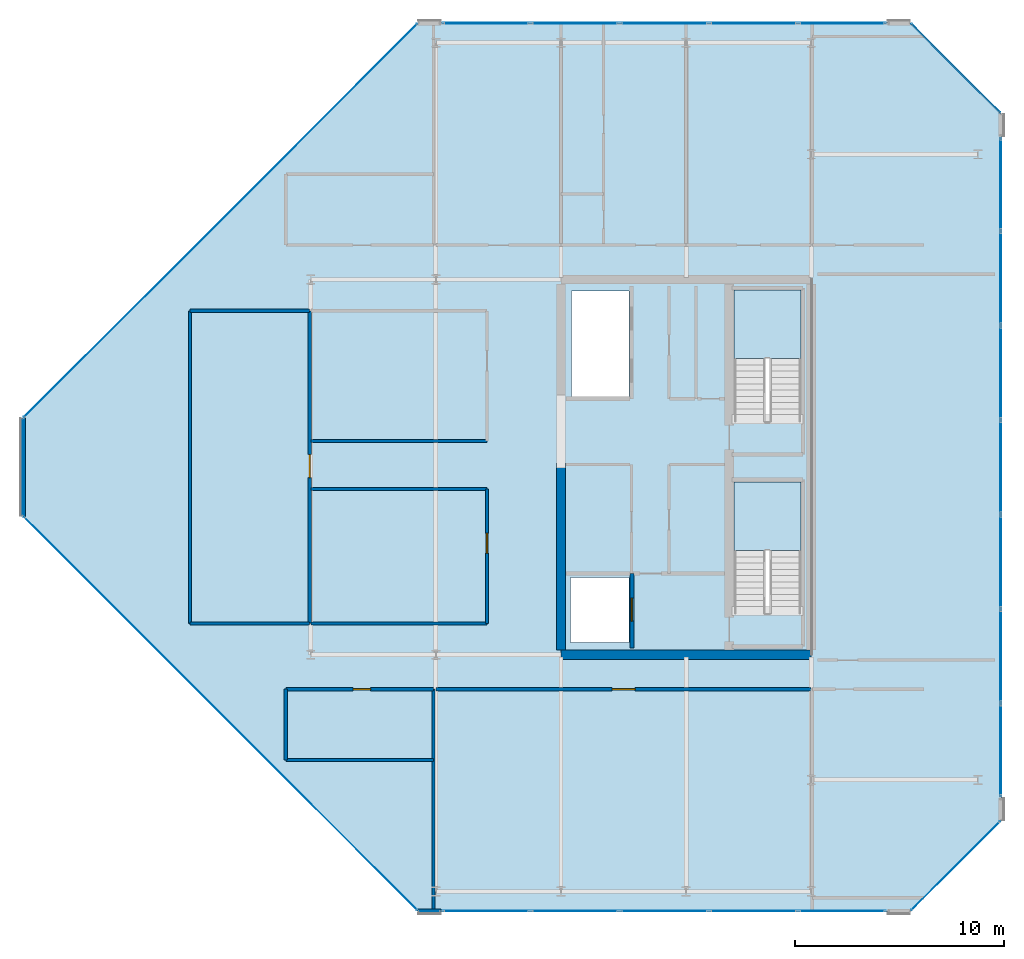
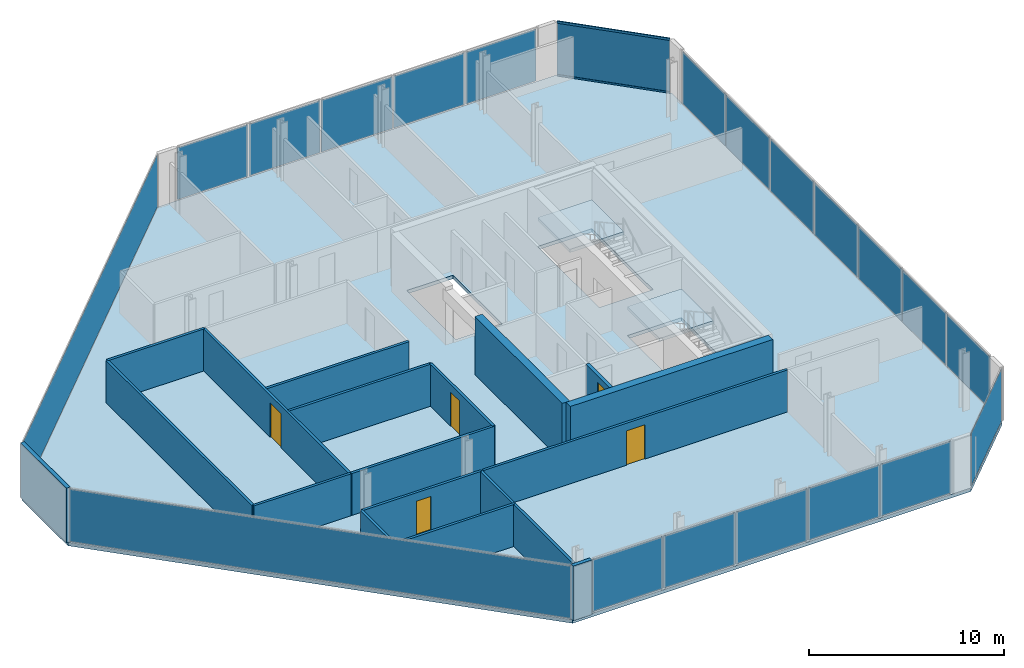
# One storey, part 13 of 17: 21 plates, 18 walls, 5 doors, 3 slabs, 2 members, 5 openings, 9 elements without a shape of their own.
"""IFC4 building model written with IfcOpenShell, lengths in metres."""

import ifcopenshell
import ifcopenshell.guid

model = None  # the IFC model being written
_history = None  # IfcOwnerHistory: only IFC2X3 demands one
_inside = {}  # id of a spatial element -> (the spatial element, [elements in it])
_under = {}  # id of a project, library or spatial element -> (it, [spatial elements below it])
_declared = {}  # id of a project -> (the project, [libraries it declares])
_typed = {}  # id of a type object -> (the type object, [elements of that type])
_made_of = {}  # id of a material, layer set ... -> (it, [elements and type objects made of it])


def new_model(schema):
    """Start an empty IFC model of exactly this schema.

    Asked for "IFC4X3", IfcOpenShell would pick the latest addendum, in which some entities
    have other attributes; the version numbers below select the first issue.
    IFC2X3 requires an IfcOwnerHistory on every rooted entity: one is made here for all.
    """
    global model, _history
    if schema == "IFC4X3":
        model = ifcopenshell.file(schema_version=(4, 3, 0, 0))
    else:
        model = ifcopenshell.file(schema=schema)
    _inside.clear()
    _under.clear()
    _declared.clear()
    _typed.clear()
    _made_of.clear()
    _history = None
    if model.schema == "IFC2X3":
        org = make("IfcOrganization", Name="unknown")
        user = make(
            "IfcPersonAndOrganization",
            ThePerson=make("IfcPerson", FamilyName="unknown"),
            TheOrganization=org,
        )
        app = make(
            "IfcApplication",
            ApplicationDeveloper=org,
            Version="unknown",
            ApplicationFullName="unknown",
            ApplicationIdentifier="unknown",
        )
        _history = make(
            "IfcOwnerHistory",
            OwningUser=user,
            OwningApplication=app,
            ChangeAction="ADDED",
            CreationDate=0,
        )
    return model


def make(cls, **values):
    """One entity of the class cls with the attributes given. An attribute that is None is left unset."""
    return model.create_entity(
        cls, **{name: value for name, value in values.items() if value is not None}
    )


def rooted(cls, **values):
    """An entity with a GlobalId (a new one), such as an element, a storey or a relation."""
    return make(cls, GlobalId=ifcopenshell.guid.new(), OwnerHistory=_history, **values)


def si_unit(unit_type, name, prefix=None):
    """IfcSIUnit, for example si_unit("LENGTHUNIT", "METRE", prefix="MILLI")."""
    return make("IfcSIUnit", UnitType=unit_type, Prefix=prefix, Name=name)


def assignment(units):
    """IfcUnitAssignment: the units of a project."""
    return None if units is None else make("IfcUnitAssignment", Units=units)


def point(xyz):
    """IfcCartesianPoint."""
    return None if xyz is None else make("IfcCartesianPoint", Coordinates=xyz)


def direction(xyz):
    """IfcDirection."""
    return None if xyz is None else make("IfcDirection", DirectionRatios=xyz)


def frame(location, z_axis=None, x_axis=None):
    """IfcAxis2Placement3D, a coordinate frame: its origin and axes. An axis left out is left unset."""
    return make(
        "IfcAxis2Placement3D",
        Location=point(location),
        Axis=direction(z_axis),
        RefDirection=direction(x_axis),
    )


def frame_2d(location, x_axis=None):
    """IfcAxis2Placement2D, a coordinate frame in the plane: its origin and x axis."""
    return make(
        "IfcAxis2Placement2D", Location=point(location), RefDirection=direction(x_axis)
    )


def origin():
    """The frame at (0, 0, 0) with its axes left unset."""
    return frame((0.0, 0.0, 0.0))


def origin_2d():
    """The frame at (0, 0) in the plane with its x axis left unset."""
    return frame_2d((0.0, 0.0))


def place(relative_to, where):
    """IfcLocalPlacement: puts the frame where relative to a parent placement (None: the world)."""
    return make(
        "IfcLocalPlacement", PlacementRelTo=relative_to, RelativePlacement=where
    )


def context(
    kind, dimensions, precision=None, world=None, true_north=None, identifier=None
):
    """IfcGeometricRepresentationContext, for example the 3D "Model" context."""
    return make(
        "IfcGeometricRepresentationContext",
        ContextIdentifier=identifier,
        ContextType=kind,
        CoordinateSpaceDimension=dimensions,
        Precision=precision,
        WorldCoordinateSystem=world,
        TrueNorth=true_north,
    )


def subcontext(parent, identifier, kind, view, scale=None):
    """IfcGeometricRepresentationSubContext, for example "Body" below "Model"."""
    return make(
        "IfcGeometricRepresentationSubContext",
        ContextIdentifier=identifier,
        ContextType=kind,
        ParentContext=parent,
        TargetScale=scale,
        TargetView=view,
    )


def project(units=None, contexts=None):
    """IfcProject with its units and contexts."""
    return rooted(
        "IfcProject",
        Name="project",
        RepresentationContexts=contexts,
        UnitsInContext=assignment(units),
    )


def spatial(cls, under=None, at=None, **own):
    """A site, building, storey or space (cls), placed at a placement, below another one or the project."""
    s = rooted(cls, ObjectPlacement=at, **own)
    if under is not None:
        _under.setdefault(under.id(), (under, []))[1].append(s)
    return s


def polyline(points):
    """IfcPolyline through the points."""
    return make("IfcPolyline", Points=[point(p) for p in points])


def profile(cls, at=None, kind="AREA", **sizes):
    """A parametric profile (cls). Its sizes go by their IFC names, for example OverallWidth=200.0."""
    return make(cls, ProfileType=kind, Position=at, **sizes)


def rectangle(**sizes):
    """IfcRectangleProfileDef."""
    return profile("IfcRectangleProfileDef", **sizes)


def hollow_rectangle(**sizes):
    """IfcRectangleHollowProfileDef."""
    return profile("IfcRectangleHollowProfileDef", **sizes)


def outline(outer, holes=None, kind="AREA"):
    """IfcArbitraryClosedProfileDef: a profile drawn as a closed curve; with holes, ...WithVoids."""
    if holes is None:
        return make("IfcArbitraryClosedProfileDef", ProfileType=kind, OuterCurve=outer)
    return make(
        "IfcArbitraryProfileDefWithVoids",
        ProfileType=kind,
        OuterCurve=outer,
        InnerCurves=holes,
    )


def extrude(swept, where, along, depth):
    """IfcExtrudedAreaSolid: the profile swept, set in the frame where, extruded along a direction by depth."""
    return make(
        "IfcExtrudedAreaSolid",
        SweptArea=swept,
        Position=where,
        ExtrudedDirection=direction(along),
        Depth=depth,
    )


def shape(context_of_items, identifier, shape_type, items):
    """IfcShapeRepresentation: the items that make up one representation, for example the "Body"."""
    return make(
        "IfcShapeRepresentation",
        ContextOfItems=context_of_items,
        RepresentationIdentifier=identifier,
        RepresentationType=shape_type,
        Items=items,
    )


def material(Name=None, Category=None):
    """IfcMaterial."""
    return make("IfcMaterial", Name=Name, Category=Category)


def layer(
    of_material, thickness, ventilated=None, Name=None, Category=None, Priority=None
):
    """IfcMaterialLayer: one layer of a wall or slab, of a material (None: an air gap)."""
    return make(
        "IfcMaterialLayer",
        Material=of_material,
        LayerThickness=thickness,
        IsVentilated=ventilated,
        Name=Name,
        Category=Category,
        Priority=Priority,
    )


def layer_set(layers, Name=None):
    """IfcMaterialLayerSet."""
    return make("IfcMaterialLayerSet", MaterialLayers=layers, LayerSetName=Name)


def material_profile(
    of_material, cross_section, Name=None, Category=None, Priority=None
):
    """IfcMaterialProfile: a cross section and its material."""
    return make(
        "IfcMaterialProfile",
        Name=Name,
        Material=of_material,
        Profile=cross_section,
        Priority=Priority,
        Category=Category,
    )


def profile_set(profiles, Name=None, composite=None):
    """IfcMaterialProfileSet."""
    return make(
        "IfcMaterialProfileSet",
        Name=Name,
        MaterialProfiles=profiles,
        CompositeProfile=composite,
    )


def made_of(thing, what):
    """Note that an element or type object is made of a material, layer set ...; save() writes the relation."""
    if what is not None:
        _made_of.setdefault(what.id(), (what, []))[1].append(thing)
    return thing


def type_object(cls, material=None, **own):
    """A type object (cls), such as IfcWallType, which elements share."""
    return made_of(rooted(cls, **own), material)


def element(
    cls,
    number,
    at=None,
    inside=None,
    cuts=None,
    type_object=None,
    material=None,
    context=None,
    identifier="Body",
    shape_type=None,
    held_by="IfcProductDefinitionShape",
    body=None,
    shapes=None,
    **own,
):
    """One element of the class cls, such as IfcWall. Its Tag is "e" and its number.

    at: its placement. inside: the storey or other place that contains it. cuts: it is an
    opening in that element (IfcRelVoidsElement). A single representation is given by context,
    identifier, shape_type and body (its items); several are given by shapes. held_by: the class
    of the entity that holds the representations. save() writes the other relations.
    """
    e = rooted(cls, Tag="e%d" % number, ObjectPlacement=at, **own)
    if body is not None:
        shapes = [shape(context, identifier, shape_type, body)]
    if shapes is not None:
        e.Representation = make(held_by, Representations=shapes)
    if inside is not None:
        _inside.setdefault(inside.id(), (inside, []))[1].append(e)
    if cuts is not None:
        rooted(
            "IfcRelVoidsElement", RelatingBuildingElement=cuts, RelatedOpeningElement=e
        )
    if type_object is not None:
        _typed.setdefault(type_object.id(), (type_object, []))[1].append(e)
    return made_of(e, material)


def fill(opening, filler):
    """IfcRelFillsElement: the door or window that sits in an opening."""
    return rooted(
        "IfcRelFillsElement",
        RelatingOpeningElement=opening,
        RelatedBuildingElement=filler,
    )


def aggregate(whole, parts):
    """IfcRelAggregates: a whole, such as a stair, and the parts it consists of."""
    return rooted("IfcRelAggregates", RelatingObject=whole, RelatedObjects=parts)


def save(model, path):
    """Write the relations noted so far, then the file.

    IfcRelAggregates (storeys below a building ...), IfcRelContainedInSpatialStructure (elements
    in a storey), IfcRelDefinesByType, IfcRelAssociatesMaterial and IfcRelDeclares: one each for
    every whole, place, type object, material and project.
    """
    for whole, parts in _under.values():
        aggregate(whole, parts)
    for where, things in _inside.values():
        rooted(
            "IfcRelContainedInSpatialStructure",
            RelatedElements=things,
            RelatingStructure=where,
        )
    for kind, things in _typed.values():
        rooted("IfcRelDefinesByType", RelatedObjects=things, RelatingType=kind)
    for what, things in _made_of.values():
        rooted("IfcRelAssociatesMaterial", RelatedObjects=things, RelatingMaterial=what)
    for by, libraries in _declared.values():
        rooted("IfcRelDeclares", RelatingContext=by, RelatedDefinitions=libraries)
    model.write(path)


model = new_model("IFC4")

# Units and contexts
model_context = context("Model", 3, precision=1e-05, world=origin(), true_north=direction((0.0, 1.0)))
body_context = subcontext(model_context, "Body", "Model", "MODEL_VIEW")
ifc_project = project(units=[si_unit("LENGTHUNIT", "METRE"), si_unit("AREAUNIT", "SQUARE_METRE"), si_unit("VOLUMEUNIT", "CUBIC_METRE"), si_unit("PLANEANGLEUNIT", "RADIAN"), si_unit("MASSUNIT", "GRAM", prefix="KILO")], contexts=[model_context])

# Site, building, storey
site_placement = place(None, origin())
site = spatial("IfcSite", under=ifc_project, at=site_placement, CompositionType="ELEMENT")
building_placement = place(site_placement, origin())
building = spatial("IfcBuilding", under=site, at=building_placement, Name="Tanjung Sevakor Pilgrim Tower", CompositionType="ELEMENT")
storey_placement = place(building_placement, frame((0.0, 0.0, 264.330078125)))
storey = spatial("IfcBuildingStorey", under=building, at=storey_placement, Name="L74", CompositionType="ELEMENT", Elevation=264.330078125)

# Curtain wall, members
ifc_material_1 = material(Name="Aluminium 6063-T6 and Low-E Glass", Category="aluminium")
ifc_layer_1 = layer(ifc_material_1, 0.179931640625)
ifc_layer_set_1 = layer_set([ifc_layer_1], Name="CW-SYS-CHAM")
curtain_wall_type_1 = type_object("IfcCurtainWallType", Name="CW-SYS-CHAM", PredefinedType="NOTDEFINED", material=ifc_layer_set_1)
curtain_wall_1_placement = place(storey_placement, origin())
curtain_wall_1 = element("IfcCurtainWall", 1, at=curtain_wall_1_placement, inside=storey, type_object=curtain_wall_type_1, Name="L74 Curtain Wall CW-CHM-L74-EAST-3", PredefinedType="NOTDEFINED")
ifc_material_2 = material(Name="Aluminium 6063-T6", Category="aluminium")
ifc_material_profile = material_profile(ifc_material_2, hollow_rectangle(XDim=0.06494140625, YDim=0.139892578125, WallThickness=0.00390625, at=origin_2d()))
ifc_profile_set = profile_set([ifc_material_profile], Name="Aluminium 6063-T6")
member_type = type_object("IfcMemberType", Name="TYPE-CWT-1", PredefinedType="USERDEFINED", material=ifc_profile_set)
member_1_placement = place(storey_placement, frame((99.0439453125, 50.600341796875, 0.032470703125), z_axis=(-0.707106781187, 0.707106781187, 0.0), x_axis=(-0.707106781187, -0.707106781187, 0.0)))
member_1 = element("IfcMember", 2, at=member_1_placement, type_object=member_type, Name="CW-CHM transom 1.1", ObjectType="TRANSOM", PredefinedType="USERDEFINED", context=body_context, shape_type="SweptSolid", body=[
    extrude(hollow_rectangle(XDim=0.06494140625, YDim=0.139892578125, WallThickness=0.00390625, at=origin_2d()), origin(), (0.0, 0.0, 1.0), 6.00146484375),
])
member_2_placement = place(storey_placement, frame((99.0439453125, 50.600341796875, 3.37744140625), z_axis=(-0.707106781187, 0.707106781187, 0.0), x_axis=(-0.707106781187, -0.707106781187, 0.0)))
member_2 = element("IfcMember", 3, at=member_2_placement, type_object=member_type, Name="CW-CHM transom 1.2", ObjectType="TRANSOM", PredefinedType="USERDEFINED", context=body_context, shape_type="SweptSolid", body=[
    extrude(hollow_rectangle(XDim=0.06494140625, YDim=0.139892578125, WallThickness=0.00390625, at=origin_2d()), origin(), (0.0, 0.0, 1.0), 6.00146484375),
])

# Stair, slab
ifc_material_3 = material(Name="Concrete C40/50", Category="concrete")
stair_type = type_object("IfcStairType", Name="STAIR-ST-CR150", PredefinedType="HALF_TURN_STAIR", material=ifc_material_3)
stair_1_placement = place(storey_placement, origin())
stair_1 = element("IfcStair", 4, at=stair_1_placement, inside=storey, type_object=stair_type, Name="L74 East Core Exit Stair 1", PredefinedType="HALF_TURN_STAIR")
ifc_material_4 = material(Name="Concrete C40/50", Category="concrete")
ifc_layer_2 = layer(ifc_material_4, 0.199951171875)
ifc_layer_set_2 = layer_set([ifc_layer_2], Name="SL-LAND-200")
slab_type_1 = type_object("IfcSlabType", Name="SL-LAND-200", PredefinedType="LANDING", material=ifc_layer_set_2)
slab_1_placement = place(storey_placement, frame((0.0, 0.0, 1.614990234375)))
slab_1 = element("IfcSlab", 5, at=slab_1_placement, type_object=slab_type_1, Name="TS-E1 landing 1", PredefinedType="LANDING", context=body_context, shape_type="SweptSolid", body=[
    extrude(outline(polyline([(89.5, 29.60009765625), (89.5, 32.89990234375), (86.300048828125, 32.89990234375), (86.300048828125, 29.60009765625), (89.5, 29.60009765625)])), origin(), (0.0, 0.0, 1.0), 0.199951171875),
])
aggregate(stair_1, [slab_1])

stair_2_placement = place(storey_placement, origin())
stair_2 = element("IfcStair", 6, at=stair_2_placement, inside=storey, type_object=stair_type, Name="L74 East Core Exit Stair 2", PredefinedType="HALF_TURN_STAIR")
slab_2_placement = place(storey_placement, frame((0.0, 0.0, 1.614990234375)))
slab_2 = element("IfcSlab", 7, at=slab_2_placement, type_object=slab_type_1, Name="TS-E2 landing 1", PredefinedType="LANDING", context=body_context, shape_type="SweptSolid", body=[
    extrude(outline(polyline([(89.5, 38.800048828125), (89.5, 42.10009765625), (86.300048828125, 42.10009765625), (86.300048828125, 38.800048828125), (89.5, 38.800048828125)])), origin(), (0.0, 0.0, 1.0), 0.199951171875),
])
aggregate(stair_2, [slab_2])

# Slab
ifc_material_5 = material(Name="Concrete C40/50", Category="concrete")
ifc_layer_3 = layer(ifc_material_5, 0.219970703125)
ifc_layer_set_3 = layer_set([ifc_layer_3], Name="SL-TWR-220")
slab_type_2 = type_object("IfcSlabType", Name="SL-TWR-220", PredefinedType="FLOOR", material=ifc_layer_set_3)
slab_3_placement = place(storey_placement, frame((0.0, 0.0, -0.219970703125)))
element("IfcSlab", 8, at=slab_3_placement, inside=storey, type_object=slab_type_2, Name="L74 Floor Slab EAST", PredefinedType="FLOOR", context=body_context, shape_type="SweptSolid", body=[
    extrude(outline(polyline([(71.14697265625, 12.280029296875), (94.753173828125, 12.280029296875), (99.1201171875, 16.64697265625), (99.1201171875, 50.552978515625), (94.753173828125, 54.919921875), (71.14697265625, 54.919921875), (52.179931640625, 35.953125), (52.179931640625, 31.246826171875), (71.14697265625, 12.280029296875)]), holes=[polyline([(89.5, 26.60009765625), (89.5, 32.89990234375), (86.300048828125, 32.89990234375), (86.300048828125, 26.60009765625), (89.5, 26.60009765625)]), polyline([(89.5, 35.800048828125), (89.5, 42.10009765625), (86.300048828125, 42.10009765625), (86.300048828125, 35.800048828125), (89.5, 35.800048828125)]), polyline([(78.449951171875, 25.199951171875), (81.25, 25.199951171875), (81.25, 28.300048828125), (78.449951171875, 28.300048828125), (78.449951171875, 25.199951171875)]), polyline([(78.5, 37.0), (81.25, 37.0), (81.25, 42.050048828125), (78.5, 42.050048828125), (78.5, 37.0)])]), origin(), (0.0, 0.0, 1.0), 0.219970703125),
])

# Curtain wall, plate
curtain_wall_2_placement = place(storey_placement, origin())
curtain_wall_2 = element("IfcCurtainWall", 9, at=curtain_wall_2_placement, inside=storey, type_object=curtain_wall_type_1, Name="L74 Curtain Wall CW-CHM-L74-EAST-1", PredefinedType="NOTDEFINED")
ifc_material_6 = material(Name="Laminated Low-E Double Glazing", Category="glass")
ifc_layer_4 = layer(ifc_material_6, 0.028076171875)
ifc_layer_set_4 = layer_set([ifc_layer_4], Name="TYPE-CWP-GLZ1")
plate_type_1 = type_object("IfcPlateType", Name="TYPE-CWP-GLZ1", PredefinedType="CURTAIN_PANEL", material=ifc_layer_set_4)
plate_1_placement = place(storey_placement, frame((96.922119140625, 14.477783203125, 0.06494140625), z_axis=(0.0, 0.0, 1.0), x_axis=(0.707106781187, 0.707106781187, 0.0)))
plate_1 = element("IfcPlate", 10, at=plate_1_placement, type_object=plate_type_1, Name="CW-CHM panel 1.1", PredefinedType="CURTAIN_PANEL", context=body_context, shape_type="SweptSolid", body=[
    extrude(rectangle(XDim=6.00146484375, YDim=0.028076171875, at=origin_2d()), origin(), (0.0, 0.0, 1.0), 3.280029296875),
])
aggregate(curtain_wall_2, [plate_1])

# Plate
plate_2_placement = place(storey_placement, frame((96.922119140625, 52.72216796875, 0.06494140625), z_axis=(0.0, 0.0, 1.0), x_axis=(-0.707106781187, 0.707106781187, 0.0)))
plate_2 = element("IfcPlate", 11, at=plate_2_placement, type_object=plate_type_1, Name="CW-CHM panel 1.1", PredefinedType="CURTAIN_PANEL", context=body_context, shape_type="SweptSolid", body=[
    extrude(rectangle(XDim=6.00146484375, YDim=0.028076171875, at=origin_2d()), origin(), (0.0, 0.0, 1.0), 3.280029296875),
])

aggregate(curtain_wall_1, [member_1, member_2, plate_2])

# Curtain wall, plate
curtain_wall_3_placement = place(storey_placement, origin())
curtain_wall_3 = element("IfcCurtainWall", 12, at=curtain_wall_3_placement, inside=storey, type_object=curtain_wall_type_1, Name="L74 Curtain Wall CW-CHM-L74-EAST-5", PredefinedType="NOTDEFINED")
plate_3_placement = place(storey_placement, frame((61.677734375, 45.422119140625, 0.06494140625), z_axis=(0.0, 0.0, 1.0), x_axis=(-0.707106781187, -0.707106781187, 0.0)))
plate_3 = element("IfcPlate", 13, at=plate_3_placement, type_object=plate_type_1, Name="CW-CHM panel 1.1", PredefinedType="CURTAIN_PANEL", context=body_context, shape_type="SweptSolid", body=[
    extrude(rectangle(XDim=26.64892578125, YDim=0.028076171875, at=origin_2d()), origin(), (0.0, 0.0, 1.0), 3.280029296875),
])
aggregate(curtain_wall_3, [plate_3])

curtain_wall_4_placement = place(storey_placement, origin())
curtain_wall_4 = element("IfcCurtainWall", 14, at=curtain_wall_4_placement, inside=storey, type_object=curtain_wall_type_1, Name="L74 Curtain Wall CW-CHM-L74-EAST-7", PredefinedType="NOTDEFINED")
plate_4_placement = place(storey_placement, frame((61.677734375, 21.77783203125, 0.06494140625), z_axis=(0.0, 0.0, 1.0), x_axis=(0.707106781187, -0.707106781187, 0.0)))
plate_4 = element("IfcPlate", 15, at=plate_4_placement, type_object=plate_type_1, Name="CW-CHM panel 1.1", PredefinedType="CURTAIN_PANEL", context=body_context, shape_type="SweptSolid", body=[
    extrude(rectangle(XDim=26.64892578125, YDim=0.028076171875, at=origin_2d()), origin(), (0.0, 0.0, 1.0), 3.280029296875),
])
aggregate(curtain_wall_4, [plate_4])

# Curtain wall, plates
ifc_material_7 = material(Name="Aluminium 6063-T6 and Low-E Glass", Category="aluminium")
ifc_layer_5 = layer(ifc_material_7, 0.219970703125)
ifc_layer_set_5 = layer_set([ifc_layer_5], Name="CW-SYS-CRNE")
curtain_wall_type_2 = type_object("IfcCurtainWallType", Name="CW-SYS-CRNE", PredefinedType="NOTDEFINED", material=ifc_layer_set_5)
curtain_wall_5_placement = place(storey_placement, origin())
curtain_wall_5 = element("IfcCurtainWall", 16, at=curtain_wall_5_placement, inside=storey, type_object=curtain_wall_type_2, Name="L74 Curtain Wall CW-CRN-L74-EAST-0-1", PredefinedType="NOTDEFINED")
ifc_material_8 = material(Name="Solar-Control Low-E Acoustic Glazing", Category="glass")
ifc_layer_6 = layer(ifc_material_8, 0.031982421875)
ifc_layer_set_6 = layer_set([ifc_layer_6], Name="TYPE-CWP-GLZ2")
plate_type_2 = type_object("IfcPlateType", Name="TYPE-CWP-GLZ2", PredefinedType="CURTAIN_PANEL", material=ifc_layer_set_6)
plate_5_placement = place(storey_placement, frame((74.406494140625, 12.31005859375, 0.079833984375), z_axis=(0.0, 0.0, 1.0), x_axis=(1.0, 0.0, 0.0)))
plate_5 = element("IfcPlate", 17, at=plate_5_placement, type_object=plate_type_2, Name="CW-CRE panel 1.1", PredefinedType="CURTAIN_PANEL", context=body_context, shape_type="SweptSolid", body=[
    extrude(rectangle(XDim=4.161865234375, YDim=0.031982421875, at=origin_2d()), origin(), (0.0, 0.0, 1.0), 3.25),
])
plate_6_placement = place(storey_placement, frame((78.668212890625, 12.31005859375, 0.079833984375), z_axis=(0.0, 0.0, 1.0), x_axis=(1.0, 0.0, 0.0)))
plate_6 = element("IfcPlate", 18, at=plate_6_placement, type_object=plate_type_2, Name="CW-CRE panel 2.1", PredefinedType="CURTAIN_PANEL", context=body_context, shape_type="SweptSolid", body=[
    extrude(rectangle(XDim=4.20166015625, YDim=0.031982421875, at=origin_2d()), origin(), (0.0, 0.0, 1.0), 3.25),
])
plate_7_placement = place(storey_placement, frame((82.949951171875, 12.31005859375, 0.079833984375), z_axis=(0.0, 0.0, 1.0), x_axis=(1.0, 0.0, 0.0)))
plate_7 = element("IfcPlate", 19, at=plate_7_placement, type_object=plate_type_2, Name="CW-CRE panel 3.1", PredefinedType="CURTAIN_PANEL", context=body_context, shape_type="SweptSolid", body=[
    extrude(rectangle(XDim=4.20166015625, YDim=0.031982421875, at=origin_2d()), origin(), (0.0, 0.0, 1.0), 3.25),
])
plate_8_placement = place(storey_placement, frame((87.231689453125, 12.31005859375, 0.079833984375), z_axis=(0.0, 0.0, 1.0), x_axis=(1.0, 0.0, 0.0)))
plate_8 = element("IfcPlate", 20, at=plate_8_placement, type_object=plate_type_2, Name="CW-CRE panel 4.1", PredefinedType="CURTAIN_PANEL", context=body_context, shape_type="SweptSolid", body=[
    extrude(rectangle(XDim=4.20166015625, YDim=0.031982421875, at=origin_2d()), origin(), (0.0, 0.0, 1.0), 3.25),
])
plate_9_placement = place(storey_placement, frame((91.493408203125, 12.31005859375, 0.079833984375), z_axis=(0.0, 0.0, 1.0), x_axis=(1.0, 0.0, 0.0)))
plate_9 = element("IfcPlate", 21, at=plate_9_placement, type_object=plate_type_2, Name="CW-CRE panel 5.1", PredefinedType="CURTAIN_PANEL", context=body_context, shape_type="SweptSolid", body=[
    extrude(rectangle(XDim=4.161865234375, YDim=0.031982421875, at=origin_2d()), origin(), (0.0, 0.0, 1.0), 3.25),
])
aggregate(curtain_wall_5, [plate_5, plate_6, plate_7, plate_8, plate_9])

curtain_wall_6_placement = place(storey_placement, origin())
curtain_wall_6 = element("IfcCurtainWall", 22, at=curtain_wall_6_placement, inside=storey, type_object=curtain_wall_type_2, Name="L74 Curtain Wall CW-CRN-L74-EAST-2-1", PredefinedType="NOTDEFINED")
plate_10_placement = place(storey_placement, frame((99.090087890625, 20.030517578125, 0.079833984375), z_axis=(0.0, 0.0, 1.0), x_axis=(0.0, 1.0, 0.0)))
plate_10 = element("IfcPlate", 23, at=plate_10_placement, type_object=plate_type_2, Name="CW-CRE panel 1.1", PredefinedType="CURTAIN_PANEL", context=body_context, shape_type="SweptSolid", body=[
    extrude(rectangle(XDim=4.409912109375, YDim=0.031982421875, at=origin_2d()), origin(), (0.0, 0.0, 1.0), 3.25),
])
plate_11_placement = place(storey_placement, frame((99.090087890625, 24.540283203125, 0.079833984375), z_axis=(0.0, 0.0, 1.0), x_axis=(0.0, 1.0, 0.0)))
plate_11 = element("IfcPlate", 24, at=plate_11_placement, type_object=plate_type_2, Name="CW-CRE panel 2.1", PredefinedType="CURTAIN_PANEL", context=body_context, shape_type="SweptSolid", body=[
    extrude(rectangle(XDim=4.44970703125, YDim=0.031982421875, at=origin_2d()), origin(), (0.0, 0.0, 1.0), 3.25),
])
plate_12_placement = place(storey_placement, frame((99.090087890625, 29.070068359375, 0.079833984375), z_axis=(0.0, 0.0, 1.0), x_axis=(0.0, 1.0, 0.0)))
plate_12 = element("IfcPlate", 25, at=plate_12_placement, type_object=plate_type_2, Name="CW-CRE panel 3.1", PredefinedType="CURTAIN_PANEL", context=body_context, shape_type="SweptSolid", body=[
    extrude(rectangle(XDim=4.44970703125, YDim=0.031982421875, at=origin_2d()), origin(), (0.0, 0.0, 1.0), 3.25),
])
plate_13_placement = place(storey_placement, frame((99.090087890625, 33.60009765625, 0.079833984375), z_axis=(0.0, 0.0, 1.0), x_axis=(0.0, 1.0, 0.0)))
plate_13 = element("IfcPlate", 26, at=plate_13_placement, type_object=plate_type_2, Name="CW-CRE panel 4.1", PredefinedType="CURTAIN_PANEL", context=body_context, shape_type="SweptSolid", body=[
    extrude(rectangle(XDim=4.44970703125, YDim=0.031982421875, at=origin_2d()), origin(), (0.0, 0.0, 1.0), 3.25),
])
plate_14_placement = place(storey_placement, frame((99.090087890625, 38.1298828125, 0.079833984375), z_axis=(0.0, 0.0, 1.0), x_axis=(0.0, 1.0, 0.0)))
plate_14 = element("IfcPlate", 27, at=plate_14_placement, type_object=plate_type_2, Name="CW-CRE panel 5.1", PredefinedType="CURTAIN_PANEL", context=body_context, shape_type="SweptSolid", body=[
    extrude(rectangle(XDim=4.44970703125, YDim=0.031982421875, at=origin_2d()), origin(), (0.0, 0.0, 1.0), 3.25),
])
plate_15_placement = place(storey_placement, frame((99.090087890625, 42.65966796875, 0.079833984375), z_axis=(0.0, 0.0, 1.0), x_axis=(0.0, 1.0, 0.0)))
plate_15 = element("IfcPlate", 28, at=plate_15_placement, type_object=plate_type_2, Name="CW-CRE panel 6.1", PredefinedType="CURTAIN_PANEL", context=body_context, shape_type="SweptSolid", body=[
    extrude(rectangle(XDim=4.44970703125, YDim=0.031982421875, at=origin_2d()), origin(), (0.0, 0.0, 1.0), 3.25),
])
plate_16_placement = place(storey_placement, frame((99.090087890625, 47.16943359375, 0.079833984375), z_axis=(0.0, 0.0, 1.0), x_axis=(0.0, 1.0, 0.0)))
plate_16 = element("IfcPlate", 29, at=plate_16_placement, type_object=plate_type_2, Name="CW-CRE panel 7.1", PredefinedType="CURTAIN_PANEL", context=body_context, shape_type="SweptSolid", body=[
    extrude(rectangle(XDim=4.409912109375, YDim=0.031982421875, at=origin_2d()), origin(), (0.0, 0.0, 1.0), 3.25),
])
aggregate(curtain_wall_6, [plate_10, plate_11, plate_12, plate_13, plate_14, plate_15, plate_16])

curtain_wall_7_placement = place(storey_placement, origin())
curtain_wall_7 = element("IfcCurtainWall", 30, at=curtain_wall_7_placement, inside=storey, type_object=curtain_wall_type_2, Name="L74 Curtain Wall CW-CRN-L74-EAST-4-1", PredefinedType="NOTDEFINED")
plate_17_placement = place(storey_placement, frame((91.493408203125, 54.889892578125, 0.079833984375), z_axis=(0.0, 0.0, 1.0), x_axis=(-1.0, 0.0, 0.0)))
plate_17 = element("IfcPlate", 31, at=plate_17_placement, type_object=plate_type_2, Name="CW-CRE panel 1.1", PredefinedType="CURTAIN_PANEL", context=body_context, shape_type="SweptSolid", body=[
    extrude(rectangle(XDim=4.161865234375, YDim=0.031982421875, at=origin_2d()), origin(), (0.0, 0.0, 1.0), 3.25),
])
plate_18_placement = place(storey_placement, frame((87.231689453125, 54.889892578125, 0.079833984375), z_axis=(0.0, 0.0, 1.0), x_axis=(-1.0, 0.0, 0.0)))
plate_18 = element("IfcPlate", 32, at=plate_18_placement, type_object=plate_type_2, Name="CW-CRE panel 2.1", PredefinedType="CURTAIN_PANEL", context=body_context, shape_type="SweptSolid", body=[
    extrude(rectangle(XDim=4.20166015625, YDim=0.031982421875, at=origin_2d()), origin(), (0.0, 0.0, 1.0), 3.25),
])
plate_19_placement = place(storey_placement, frame((82.949951171875, 54.889892578125, 0.079833984375), z_axis=(0.0, 0.0, 1.0), x_axis=(-1.0, 0.0, 0.0)))
plate_19 = element("IfcPlate", 33, at=plate_19_placement, type_object=plate_type_2, Name="CW-CRE panel 3.1", PredefinedType="CURTAIN_PANEL", context=body_context, shape_type="SweptSolid", body=[
    extrude(rectangle(XDim=4.20166015625, YDim=0.031982421875, at=origin_2d()), origin(), (0.0, 0.0, 1.0), 3.25),
])
plate_20_placement = place(storey_placement, frame((78.668212890625, 54.889892578125, 0.079833984375), z_axis=(0.0, 0.0, 1.0), x_axis=(-1.0, 0.0, 0.0)))
plate_20 = element("IfcPlate", 34, at=plate_20_placement, type_object=plate_type_2, Name="CW-CRE panel 4.1", PredefinedType="CURTAIN_PANEL", context=body_context, shape_type="SweptSolid", body=[
    extrude(rectangle(XDim=4.20166015625, YDim=0.031982421875, at=origin_2d()), origin(), (0.0, 0.0, 1.0), 3.25),
])
plate_21_placement = place(storey_placement, frame((74.406494140625, 54.889892578125, 0.079833984375), z_axis=(0.0, 0.0, 1.0), x_axis=(-1.0, 0.0, 0.0)))
plate_21 = element("IfcPlate", 35, at=plate_21_placement, type_object=plate_type_2, Name="CW-CRE panel 5.1", PredefinedType="CURTAIN_PANEL", context=body_context, shape_type="SweptSolid", body=[
    extrude(rectangle(XDim=4.161865234375, YDim=0.031982421875, at=origin_2d()), origin(), (0.0, 0.0, 1.0), 3.25),
])
aggregate(curtain_wall_7, [plate_17, plate_18, plate_19, plate_20, plate_21])

# Walls
ifc_material_9 = material(Name="Concrete C60/75", Category="concrete")
ifc_layer_7 = layer(ifc_material_9, 0.449951171875)
ifc_layer_set_7 = layer_set([ifc_layer_7], Name="WALL-CW-450")
wall_type_1 = type_object("IfcWallType", Name="WALL-CW-450", PredefinedType="SHEAR", material=ifc_layer_set_7)
wall_1_placement = place(storey_placement, frame((78.0, 24.60009765625, 0.0), z_axis=(0.0, 0.0, 1.0), x_axis=(1.0, 0.0, 0.0)))
element("IfcWall", 36, at=wall_1_placement, inside=storey, type_object=wall_type_1, Name="L74 E Core South Shear Wall", PredefinedType="SHEAR", context=body_context, shape_type="SweptSolid", body=[
    extrude(rectangle(XDim=12.0, YDim=0.449951171875, at=frame_2d((6.0, 0.0))), origin(), (0.0, 0.0, 1.0), 3.6298828125),
])
wall_2_placement = place(storey_placement, frame((78.0, 24.824951171875, 0.0), z_axis=(0.0, 0.0, 1.0), x_axis=(0.0, 1.0, 0.0)))
element("IfcWall", 37, at=wall_2_placement, inside=storey, type_object=wall_type_1, Name="L74 E Core Inner Shear Wall South", PredefinedType="SHEAR", context=body_context, shape_type="SweptSolid", body=[
    extrude(rectangle(XDim=8.97509765625, YDim=0.449951171875, at=frame_2d((4.487548828125, 0.0))), origin(), (0.0, 0.0, 1.0), 3.6298828125),
])
ifc_material_10 = material(Name="Concrete C40/50", Category="concrete")
ifc_layer_8 = layer(ifc_material_10, 0.14990234375)
ifc_layer_set_8 = layer_set([ifc_layer_8], Name="WT-COMP-150")
wall_type_2 = type_object("IfcWallType", Name="WT-COMP-150", PredefinedType="SOLIDWALL", material=ifc_layer_set_8)
wall_3_placement = place(storey_placement, frame((64.800048828125, 19.550048828125, 0.0), z_axis=(0.0, 0.0, 1.0), x_axis=(1.0, 0.0, 0.0)))
element("IfcWall", 38, at=wall_3_placement, inside=storey, type_object=wall_type_2, Name="L74 Partition IW-L74-013", PredefinedType="SOLIDWALL", context=body_context, shape_type="SweptSolid", body=[
    extrude(rectangle(XDim=7.079833984375, YDim=0.14990234375, at=frame_2d((3.5400390625, 0.0))), origin(), (0.0, 0.0, 1.0), 2.6298828125),
])

# Wall, opening, door
wall_4_placement = place(storey_placement, frame((64.800048828125, 22.949951171875, 0.0), z_axis=(0.0, 0.0, 1.0), x_axis=(1.0, 0.0, 0.0)))
wall_4 = element("IfcWall", 39, at=wall_4_placement, inside=storey, type_object=wall_type_2, Name="L74 Partition IW-L74-014", PredefinedType="SOLIDWALL", context=body_context, shape_type="SweptSolid", body=[
    extrude(rectangle(XDim=7.079833984375, YDim=0.14990234375, at=frame_2d((3.5400390625, 0.0))), origin(), (0.0, 0.0, 1.0), 2.6298828125),
])
opening_1_placement = place(wall_4_placement, frame((3.22509765625, 0.0, 0.0)))
opening_1 = element("IfcOpeningElement", 40, at=opening_1_placement, cuts=wall_4, Name="Opening ID-WC1", PredefinedType="OPENING", context=body_context, shape_type="SweptSolid", body=[
    extrude(rectangle(XDim=0.85009765625, YDim=2.10009765625, at=frame_2d((0.425048828125, 1.050048828125))), frame((0.0, 0.0849609375, 0.0), z_axis=(0.0, -1.0, 0.0), x_axis=(1.0, 0.0, 0.0)), (0.0, 0.0, 1.0), 0.169921875),
])
ifc_material_11 = material(Name="Moisture-Resistant Timber", Category="wood")
door_type_1 = type_object("IfcDoorType", Name="DT-INT-850", OperationType="NOTDEFINED", PredefinedType="DOOR", material=ifc_material_11)
door_1_placement = place(opening_1_placement, origin())
door_1 = element("IfcDoor", 41, at=door_1_placement, inside=storey, type_object=door_type_1, Name="L74 SW Crown Suite Door", OperationType="SINGLE_SWING_RIGHT", OverallHeight=2.10009765625, OverallWidth=0.85009765625, PredefinedType="DOOR", context=body_context, shape_type="SweptSolid", body=[
    extrude(rectangle(XDim=0.85009765625, YDim=2.10009765625, at=frame_2d((0.425048828125, 1.050048828125))), frame((0.0, 0.02490234375, 0.0), z_axis=(0.0, -1.0, 0.0), x_axis=(1.0, 0.0, 0.0)), (0.0, 0.0, 1.0), 0.050048828125),
])
fill(opening_1, door_1)

# Walls
wall_5_placement = place(storey_placement, frame((64.800048828125, 19.550048828125, 0.0), z_axis=(0.0, 0.0, 1.0), x_axis=(0.0, 1.0, 0.0)))
element("IfcWall", 42, at=wall_5_placement, inside=storey, type_object=wall_type_2, Name="L74 Partition IW-L74-015", PredefinedType="SOLIDWALL", context=body_context, shape_type="SweptSolid", body=[
    extrude(rectangle(XDim=3.39990234375, YDim=0.14990234375, at=frame_2d((1.699951171875, 0.0))), origin(), (0.0, 0.0, 1.0), 2.6298828125),
])
wall_6_placement = place(storey_placement, frame((71.8798828125, 12.340087890625, 0.0), z_axis=(0.0, 0.0, 1.0), x_axis=(0.0, 1.0, 0.0)))
element("IfcWall", 43, at=wall_6_placement, inside=storey, type_object=wall_type_2, Name="L74 Partition IW-L74-016", PredefinedType="SOLIDWALL", context=body_context, shape_type="SweptSolid", body=[
    extrude(rectangle(XDim=10.60986328125, YDim=0.14990234375, at=frame_2d((5.304931640625, 0.0))), origin(), (0.0, 0.0, 1.0), 2.6298828125),
])

# Wall, opening, door
wall_7_placement = place(storey_placement, frame((72.0, 22.949951171875, 0.0), z_axis=(0.0, 0.0, 1.0), x_axis=(1.0, 0.0, 0.0)))
wall_7 = element("IfcWall", 44, at=wall_7_placement, inside=storey, type_object=wall_type_2, Name="L74 Partition IW-L74-029", PredefinedType="SOLIDWALL", context=body_context, shape_type="SweptSolid", body=[
    extrude(rectangle(XDim=18.0, YDim=0.14990234375, at=frame_2d((9.0, 0.0))), origin(), (0.0, 0.0, 1.0), 2.6298828125),
])
opening_2_placement = place(wall_7_placement, frame((8.449951171875, 0.0, 0.0)))
opening_2 = element("IfcOpeningElement", 45, at=opening_2_placement, cuts=wall_7, Name="Opening ID-FD0", PredefinedType="OPENING", context=body_context, shape_type="SweptSolid", body=[
    extrude(rectangle(XDim=1.10009765625, YDim=2.14990234375, at=frame_2d((0.550048828125, 1.074951171875))), frame((0.0, 0.0849609375, 0.0), z_axis=(0.0, -1.0, 0.0), x_axis=(1.0, 0.0, 0.0)), (0.0, 0.0, 1.0), 0.169921875),
])
ifc_material_12 = material(Name="Fire-Rated Steel S355J2", Category="steel")
door_type_2 = type_object("IfcDoorType", Name="DT-FIRE-1100", OperationType="NOTDEFINED", PredefinedType="DOOR", material=ifc_material_12)
door_2_placement = place(opening_2_placement, origin())
door_2 = element("IfcDoor", 46, at=door_2_placement, inside=storey, type_object=door_type_2, Name="Observatory Door", OperationType="SINGLE_SWING_LEFT", OverallHeight=2.14990234375, OverallWidth=1.10009765625, PredefinedType="DOOR", context=body_context, shape_type="SweptSolid", body=[
    extrude(rectangle(XDim=1.10009765625, YDim=2.14990234375, at=frame_2d((0.550048828125, 1.074951171875))), frame((0.0, 0.02490234375, 0.0), z_axis=(0.0, -1.0, 0.0), x_axis=(1.0, 0.0, 0.0)), (0.0, 0.0, 1.0), 0.050048828125),
])
fill(opening_2, door_2)

# Walls
for number, where, z_axis, x_axis, name in (
    (47, (60.199951171875, 26.10009765625, 0.0), (0.0, 0.0, 1.0), (1.0, 0.0, 0.0), "L74 Partition IW-L74-037"),
    (48, (60.199951171875, 41.10009765625, 0.0), (0.0, 0.0, 1.0), (1.0, 0.0, 0.0), "L74 Partition IW-L74-038"),
):
    element("IfcWall", number, at=place(storey_placement, frame(where, z_axis=z_axis, x_axis=x_axis)), inside=storey, type_object=wall_type_2, Name=name, PredefinedType="SOLIDWALL", context=body_context, shape_type="SweptSolid", body=[
        extrude(rectangle(XDim=5.75, YDim=0.14990234375, at=frame_2d((2.875, 0.0))), origin(), (0.0, 0.0, 1.0), 2.6298828125),
    ])
wall_8_placement = place(storey_placement, frame((60.199951171875, 26.10009765625, 0.0), z_axis=(0.0, 0.0, 1.0), x_axis=(0.0, 1.0, 0.0)))
element("IfcWall", 49, at=wall_8_placement, inside=storey, type_object=wall_type_2, Name="L74 Partition IW-L74-039", PredefinedType="SOLIDWALL", context=body_context, shape_type="SweptSolid", body=[
    extrude(rectangle(XDim=15.0, YDim=0.14990234375, at=frame_2d((7.5, 0.0))), origin(), (0.0, 0.0, 1.0), 2.6298828125),
])

# Wall, opening, door
wall_9_placement = place(storey_placement, frame((65.949951171875, 26.10009765625, 0.0), z_axis=(0.0, 0.0, 1.0), x_axis=(0.0, 1.0, 0.0)))
wall_9 = element("IfcWall", 50, at=wall_9_placement, inside=storey, type_object=wall_type_2, Name="L74 Partition IW-L74-040", PredefinedType="SOLIDWALL", context=body_context, shape_type="SweptSolid", body=[
    extrude(rectangle(XDim=15.0, YDim=0.14990234375, at=frame_2d((7.5, 0.0))), origin(), (0.0, 0.0, 1.0), 2.6298828125),
])
opening_3_placement = place(wall_9_placement, frame((7.0, 0.0, 0.0)))
opening_3 = element("IfcOpeningElement", 51, at=opening_3_placement, cuts=wall_9, Name="Opening ID-RM2", PredefinedType="OPENING", context=body_context, shape_type="SweptSolid", body=[
    extrude(rectangle(XDim=1.10009765625, YDim=2.14990234375, at=frame_2d((0.550048828125, 1.074951171875))), frame((0.0, 0.0849609375, 0.0), z_axis=(0.0, -1.0, 0.0), x_axis=(1.0, 0.0, 0.0)), (0.0, 0.0, 1.0), 0.169921875),
])
ifc_material_13 = material(Name="Hardwood Timber", Category="wood")
door_type_3 = type_object("IfcDoorType", Name="DT-INT-1100", OperationType="NOTDEFINED", PredefinedType="DOOR", material=ifc_material_13)
door_3_placement = place(opening_3_placement, origin())
door_3 = element("IfcDoor", 52, at=door_3_placement, inside=storey, type_object=door_type_3, Name="L74 West Cleft Sanctuary Door", OperationType="SINGLE_SWING_LEFT", OverallHeight=2.14990234375, OverallWidth=1.10009765625, PredefinedType="DOOR", context=body_context, shape_type="SweptSolid", body=[
    extrude(rectangle(XDim=1.10009765625, YDim=2.14990234375, at=frame_2d((0.550048828125, 1.074951171875))), frame((0.0, 0.02490234375, 0.0), z_axis=(0.0, -1.0, 0.0), x_axis=(1.0, 0.0, 0.0)), (0.0, 0.0, 1.0), 0.050048828125),
])
fill(opening_3, door_3)

# Walls
for number, where, z_axis, x_axis, name in (
    (53, (66.0, 26.10009765625, 0.0), (0.0, 0.0, 1.0), (1.0, 0.0, 0.0), "L74 Partition IW-L74-041"),
    (54, (66.0, 32.550048828125, 0.0), (0.0, 0.0, 1.0), (1.0, 0.0, 0.0), "L74 Partition IW-L74-042"),
):
    element("IfcWall", number, at=place(storey_placement, frame(where, z_axis=z_axis, x_axis=x_axis)), inside=storey, type_object=wall_type_2, Name=name, PredefinedType="SOLIDWALL", context=body_context, shape_type="SweptSolid", body=[
        extrude(rectangle(XDim=8.449951171875, YDim=0.14990234375, at=frame_2d((4.22509765625, 0.0))), origin(), (0.0, 0.0, 1.0), 2.6298828125),
    ])

# Wall, opening, door
wall_10_placement = place(storey_placement, frame((74.449951171875, 26.10009765625, 0.0), z_axis=(0.0, 0.0, 1.0), x_axis=(0.0, 1.0, 0.0)))
wall_10 = element("IfcWall", 55, at=wall_10_placement, inside=storey, type_object=wall_type_2, Name="L74 Partition IW-L74-043", PredefinedType="SOLIDWALL", context=body_context, shape_type="SweptSolid", body=[
    extrude(rectangle(XDim=6.449951171875, YDim=0.14990234375, at=frame_2d((3.22509765625, 0.0))), origin(), (0.0, 0.0, 1.0), 2.6298828125),
])
opening_4_placement = place(wall_10_placement, frame((3.375, 0.0, 0.0)))
opening_4 = element("IfcOpeningElement", 56, at=opening_4_placement, cuts=wall_10, Name="Opening ID-RM1", PredefinedType="OPENING", context=body_context, shape_type="SweptSolid", body=[
    extrude(rectangle(XDim=0.949951171875, YDim=2.14990234375, at=frame_2d((0.47509765625, 1.074951171875))), frame((0.0, 0.0849609375, 0.0), z_axis=(0.0, -1.0, 0.0), x_axis=(1.0, 0.0, 0.0)), (0.0, 0.0, 1.0), 0.169921875),
])
ifc_material_14 = material(Name="Hardwood Timber", Category="wood")
door_type_4 = type_object("IfcDoorType", Name="DT-INT-950", OperationType="NOTDEFINED", PredefinedType="DOOR", material=ifc_material_14)
door_4_placement = place(opening_4_placement, origin())
door_4 = element("IfcDoor", 57, at=door_4_placement, inside=storey, type_object=door_type_4, Name="L74 East Peak Seminar Door", OperationType="SINGLE_SWING_RIGHT", OverallHeight=2.14990234375, OverallWidth=0.949951171875, PredefinedType="DOOR", context=body_context, shape_type="SweptSolid", body=[
    extrude(rectangle(XDim=0.949951171875, YDim=2.14990234375, at=frame_2d((0.47509765625, 1.074951171875))), frame((0.0, 0.02490234375, 0.0), z_axis=(0.0, -1.0, 0.0), x_axis=(1.0, 0.0, 0.0)), (0.0, 0.0, 1.0), 0.050048828125),
])
fill(opening_4, door_4)

# Walls
wall_11_placement = place(storey_placement, frame((66.0, 34.85009765625, 0.0), z_axis=(0.0, 0.0, 1.0), x_axis=(1.0, 0.0, 0.0)))
element("IfcWall", 58, at=wall_11_placement, inside=storey, type_object=wall_type_2, Name="L74 Partition IW-L74-044", PredefinedType="SOLIDWALL", context=body_context, shape_type="SweptSolid", body=[
    extrude(rectangle(XDim=8.449951171875, YDim=0.14990234375, at=frame_2d((4.22509765625, 0.0))), origin(), (0.0, 0.0, 1.0), 2.6298828125),
])
ifc_material_15 = material(Name="Precast concrete C45/55", Category="concrete")
ifc_layer_9 = layer(ifc_material_15, 0.219970703125)
ifc_layer_set_9 = layer_set([ifc_layer_9], Name="WT-EW-STN4")
wall_type_3 = type_object("IfcWallType", Name="WT-EW-STN4", PredefinedType="SOLIDWALL", material=ifc_layer_set_9)
wall_12_placement = place(storey_placement, frame((71.1455078125, 12.31005859375, 0.0), z_axis=(0.0, 0.0, 1.0), x_axis=(1.0, 0.0, 0.0)))
element("IfcWall", 59, at=wall_12_placement, inside=storey, type_object=wall_type_3, Name="L74 EAST Crown Pier 0-1A", PredefinedType="SOLIDWALL", context=body_context, shape_type="SweptSolid", body=[
    extrude(rectangle(XDim=1.10009765625, YDim=0.219970703125, at=frame_2d((0.550048828125, 0.0))), origin(), (0.0, 0.0, 1.0), 3.409912109375),
])
wall_13_placement = place(storey_placement, frame((52.2099609375, 35.954345703125, 0.0), z_axis=(0.0, 0.0, 1.0), x_axis=(0.0, -1.0, 0.0)))
element("IfcWall", 60, at=wall_13_placement, inside=storey, type_object=wall_type_3, Name="L74 EAST Exterior Wall 7", PredefinedType="SOLIDWALL", context=body_context, shape_type="SweptSolid", body=[
    extrude(rectangle(XDim=4.708740234375, YDim=0.219970703125, at=frame_2d((2.3544921875, 0.0))), origin(), (0.0, 0.0, 1.0), 3.409912109375),
])

# Wall, opening, door
ifc_material_16 = material(Name="Concrete C40/50", Category="concrete")
ifc_layer_10 = layer(ifc_material_16, 0.199951171875)
ifc_layer_set_10 = layer_set([ifc_layer_10], Name="WT-FPRT-200")
wall_type_4 = type_object("IfcWallType", Name="WT-FPRT-200", PredefinedType="SOLIDWALL", material=ifc_layer_set_10)
wall_14_placement = place(storey_placement, frame((81.39990234375, 24.919921875, 0.0), z_axis=(0.0, 0.0, 1.0), x_axis=(0.0, 1.0, 0.0)))
wall_14 = element("IfcWall", 61, at=wall_14_placement, inside=storey, type_object=wall_type_4, Name="L74 Partition IW-L74-001", PredefinedType="SOLIDWALL", context=body_context, shape_type="SweptSolid", body=[
    extrude(rectangle(XDim=3.580078125, YDim=0.199951171875, at=frame_2d((1.7900390625, 0.0))), origin(), (0.0, 0.0, 1.0), 2.6298828125),
])
opening_5_placement = place(wall_14_placement, frame((1.300048828125, 0.0, 0.0)))
opening_5 = element("IfcOpeningElement", 62, at=opening_5_placement, cuts=wall_14, Name="Opening LD-1100", PredefinedType="OPENING", context=body_context, shape_type="SweptSolid", body=[
    extrude(rectangle(XDim=1.10009765625, YDim=2.199951171875, at=frame_2d((0.550048828125, 1.10009765625))), frame((0.0, 0.10986328125, 0.0), z_axis=(0.0, -1.0, 0.0), x_axis=(1.0, 0.0, 0.0)), (0.0, 0.0, 1.0), 0.219970703125),
])
ifc_material_17 = material(Name="Brushed Stainless Steel S355J2", Category="steel")
door_type_5 = type_object("IfcDoorType", Name="DT-LIFT-1100", OperationType="SLIDING_TO_LEFT", PredefinedType="DOOR", material=ifc_material_17)
door_5_placement = place(opening_5_placement, origin())
door_5 = element("IfcDoor", 63, at=door_5_placement, inside=storey, type_object=door_type_5, Name="LD-FL-E", OperationType="SLIDING_TO_LEFT", OverallHeight=2.199951171875, OverallWidth=1.10009765625, PredefinedType="DOOR", context=body_context, shape_type="SweptSolid", body=[
    extrude(rectangle(XDim=1.10009765625, YDim=2.199951171875, at=frame_2d((0.550048828125, 1.10009765625))), frame((0.0, 0.02490234375, 0.0), z_axis=(0.0, -1.0, 0.0), x_axis=(1.0, 0.0, 0.0)), (0.0, 0.0, 1.0), 0.050048828125),
])
fill(opening_5, door_5)

save(model, "model.ifc")
